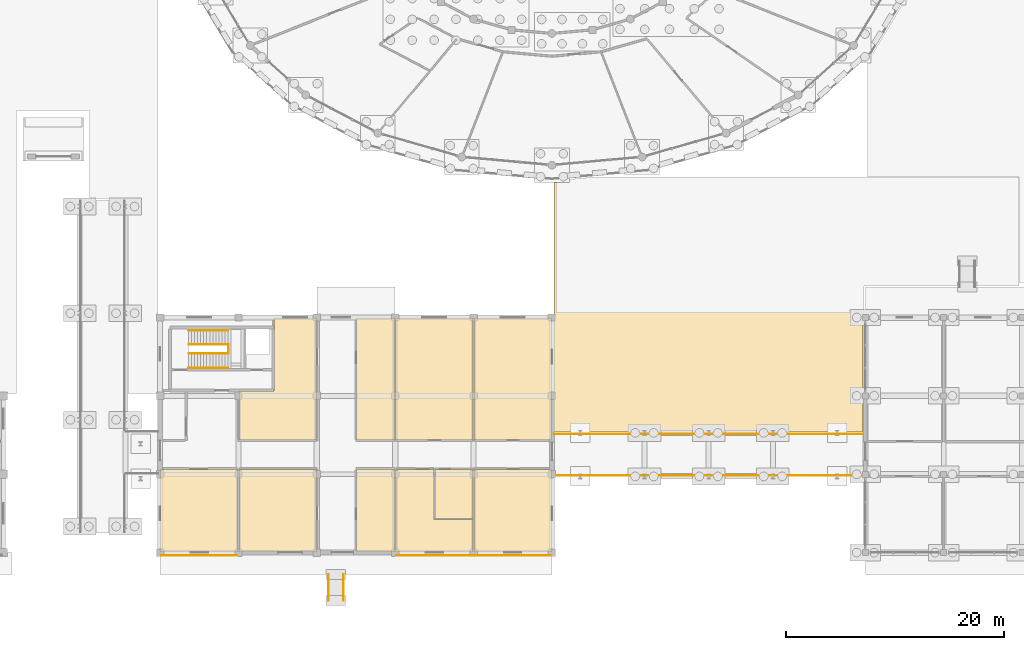
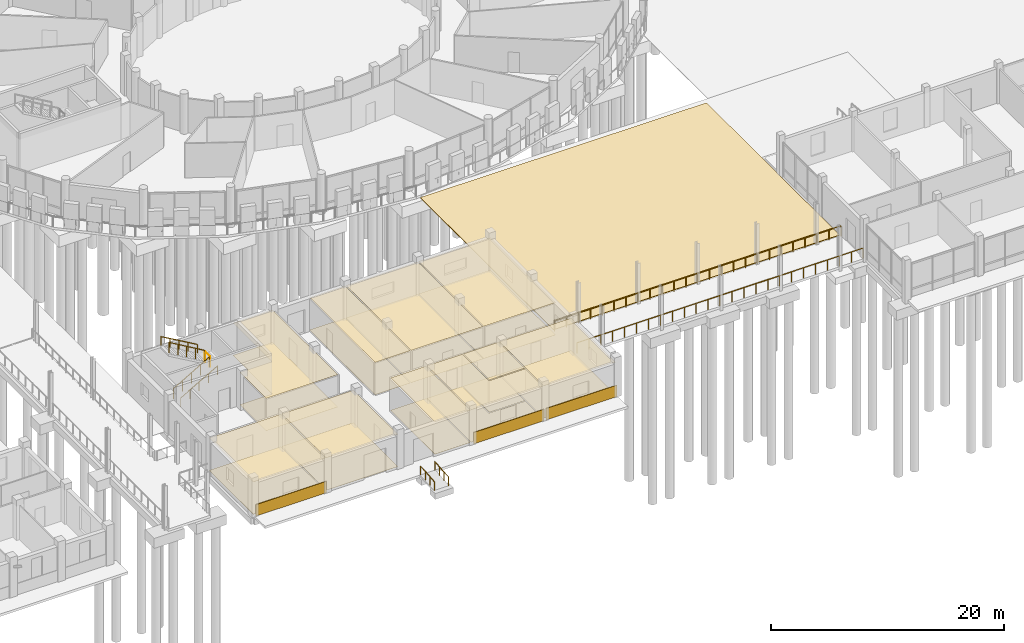
# One storey, part 90 of 98: 24 coverings, 9 railings.
"""IFC4 building model written with IfcOpenShell, lengths in metres."""

from ifc_helpers import new_model, si_unit, direction, frame, origin, origin_2d, place, context, subcontext, project, spatial, polyline, rectangle, circle, outline, extrude, material, layer, layer_set, type_object, element, save


model = new_model("IFC4")

# Units and contexts
model_context = context("Model", 3, precision=1e-05, world=origin(), true_north=direction((0.0, 1.0)))
body_context = subcontext(model_context, "Body", "Model", "MODEL_VIEW")
ifc_project = project(units=[si_unit("LENGTHUNIT", "METRE"), si_unit("AREAUNIT", "SQUARE_METRE"), si_unit("VOLUMEUNIT", "CUBIC_METRE"), si_unit("PLANEANGLEUNIT", "RADIAN"), si_unit("MASSUNIT", "GRAM", prefix="KILO")], contexts=[model_context])

# Site, building, storey
site_placement = place(None, origin())
site = spatial("IfcSite", under=ifc_project, at=site_placement, CompositionType="ELEMENT")
building_placement = place(site_placement, origin())
building = spatial("IfcBuilding", under=site, at=building_placement, Name="Zornivar Specialist Clinic", CompositionType="ELEMENT")
storey_placement = place(building_placement, origin())
storey = spatial("IfcBuildingStorey", under=building, at=storey_placement, Name="L00", CompositionType="ELEMENT", Elevation=0.0)

# Coverings
ifc_material_1 = material(Name="Washable Acoustic Mineral Clinical Ceiling")
ifc_layer_1 = layer(ifc_material_1, 0.01806640625)
ifc_layer_set_1 = layer_set([ifc_layer_1], Name="Washable Acoustic Mineral Clinical Ceiling")
covering_type_1 = type_object("IfcCoveringType", Name="COV-CEIL-CLIN-18", PredefinedType="CEILING", material=ifc_layer_set_1)
covering_1_placement = place(storey_placement, frame((0.0, 0.0, 3.39208984375)))
element("IfcCovering", 1, at=covering_1_placement, inside=storey, type_object=covering_type_1, Name="ceil:space:V3:L00:rm:00", PredefinedType="CEILING", context=body_context, shape_type="SweptSolid", body=[
    extrude(outline(polyline([(64.760009765625, 7.659912109375), (64.760009765625, 0.0400390625), (57.639892578125, 0.0400390625), (57.639892578125, 7.659912109375), (64.760009765625, 7.659912109375)])), origin(), (0.0, 0.0, 1.0), 0.017822265625),
])
covering_2_placement = place(storey_placement, frame((0.0, 0.0, 3.39208984375)))
element("IfcCovering", 2, at=covering_2_placement, inside=storey, type_object=covering_type_1, Name="ceil:space:V3:L00:rm:02", PredefinedType="CEILING", context=body_context, shape_type="SweptSolid", body=[
    extrude(outline(polyline([(71.9599609375, 0.0400390625), (64.840087890625, 0.0400390625), (64.840087890625, 7.659912109375), (71.9599609375, 7.659912109375), (71.9599609375, 0.0400390625)])), origin(), (0.0, 0.0, 1.0), 0.017822265625),
])
covering_3_placement = place(storey_placement, frame((0.0, 0.0, 3.39208984375)))
element("IfcCovering", 3, at=covering_3_placement, inside=storey, type_object=covering_type_1, Name="ceil:space:V3:L00:rm:03", PredefinedType="CEILING", context=body_context, shape_type="SweptSolid", body=[
    extrude(outline(polyline([(71.9599609375, 21.56005859375), (71.9599609375, 10.340087890625), (64.840087890625, 10.340087890625), (64.840087890625, 14.860107421875), (68.0400390625, 14.860107421875), (68.0400390625, 21.56005859375), (71.9599609375, 21.56005859375)])), origin(), (0.0, 0.0, 1.0), 0.017822265625),
])
covering_4_placement = place(storey_placement, frame((0.0, 0.0, 3.39208984375)))
element("IfcCovering", 4, at=covering_4_placement, inside=storey, type_object=covering_type_1, Name="ceil:space:V3:L00:rm:04", PredefinedType="CEILING", context=body_context, shape_type="SweptSolid", body=[
    extrude(outline(polyline([(75.639892578125, 7.659912109375), (79.159912109375, 7.659912109375), (79.159912109375, 0.0400390625), (75.639892578125, 0.0400390625), (75.639892578125, 7.659912109375)])), origin(), (0.0, 0.0, 1.0), 0.017822265625),
])
covering_5_placement = place(storey_placement, frame((0.0, 0.0, 3.39208984375)))
element("IfcCovering", 5, at=covering_5_placement, inside=storey, type_object=covering_type_1, Name="ceil:space:V3:L00:rm:05", PredefinedType="CEILING", context=body_context, shape_type="SweptSolid", body=[
    extrude(outline(polyline([(75.639892578125, 21.56005859375), (79.159912109375, 21.56005859375), (79.159912109375, 10.340087890625), (75.639892578125, 10.340087890625), (75.639892578125, 21.56005859375)])), origin(), (0.0, 0.0, 1.0), 0.017822265625),
])
covering_6_placement = place(storey_placement, frame((0.0, 0.0, 3.39208984375)))
element("IfcCovering", 6, at=covering_6_placement, inside=storey, type_object=covering_type_1, Name="ceil:space:V3:L00:rm:06", PredefinedType="CEILING", context=body_context, shape_type="SweptSolid", body=[
    extrude(outline(polyline([(86.360107421875, 3.139892578125), (82.840087890625, 3.139892578125), (82.840087890625, 7.659912109375), (86.360107421875, 7.659912109375), (86.360107421875, 3.139892578125)])), origin(), (0.0, 0.0, 1.0), 0.017822265625),
])
covering_7_placement = place(storey_placement, frame((0.0, 0.0, 3.39208984375)))
element("IfcCovering", 7, at=covering_7_placement, inside=storey, type_object=covering_type_1, Name="ceil:space:V3:L00:rm:06b", PredefinedType="CEILING", context=body_context, shape_type="SweptSolid", body=[
    extrude(outline(polyline([(82.760009765625, 7.659912109375), (82.760009765625, 3.06005859375), (86.360107421875, 3.06005859375), (86.360107421875, 0.0400390625), (79.239990234375, 0.0400390625), (79.239990234375, 7.659912109375), (82.760009765625, 7.659912109375)])), origin(), (0.0, 0.0, 1.0), 0.017822265625),
])
covering_8_placement = place(storey_placement, frame((0.0, 0.0, 3.39208984375)))
element("IfcCovering", 8, at=covering_8_placement, inside=storey, type_object=covering_type_1, Name="ceil:space:V3:L00:rm:08", PredefinedType="CEILING", context=body_context, shape_type="SweptSolid", body=[
    extrude(outline(polyline([(79.239990234375, 21.56005859375), (86.360107421875, 21.56005859375), (86.360107421875, 10.340087890625), (79.239990234375, 10.340087890625), (79.239990234375, 21.56005859375)])), origin(), (0.0, 0.0, 1.0), 0.017822265625),
])
covering_9_placement = place(storey_placement, frame((0.0, 0.0, 3.39208984375)))
element("IfcCovering", 9, at=covering_9_placement, inside=storey, type_object=covering_type_1, Name="ceil:space:V3:L00:rm:09", PredefinedType="CEILING", context=body_context, shape_type="SweptSolid", body=[
    extrude(outline(polyline([(86.43994140625, 7.659912109375), (93.56005859375, 7.659912109375), (93.56005859375, 0.0400390625), (86.43994140625, 0.0400390625), (86.43994140625, 7.659912109375)])), origin(), (0.0, 0.0, 1.0), 0.017822265625),
])
covering_10_placement = place(storey_placement, frame((0.0, 0.0, 3.39208984375)))
element("IfcCovering", 10, at=covering_10_placement, inside=storey, type_object=covering_type_1, Name="ceil:space:V3:L00:rm:10", PredefinedType="CEILING", context=body_context, shape_type="SweptSolid", body=[
    extrude(outline(polyline([(86.43994140625, 10.340087890625), (86.43994140625, 21.56005859375), (93.56005859375, 21.56005859375), (93.56005859375, 10.340087890625), (86.43994140625, 10.340087890625)])), origin(), (0.0, 0.0, 1.0), 0.017822265625),
])
ifc_material_2 = material(Name="Coursed Vratsa Limestone Plinth Cladding", Category="masonry")
ifc_layer_2 = layer(ifc_material_2, 0.050048828125)
ifc_layer_set_2 = layer_set([ifc_layer_2], Name="Coursed Vratsa Limestone Plinth Cladding")
covering_type_2 = type_object("IfcCoveringType", Name="COV-CLAD-VRATSA-50", PredefinedType="CLADDING", material=ifc_layer_set_2)
for number, where, z_axis, x_axis, name in (
    (11, (61.199951171875, -0.2548828125, 0.0), (0.0, 0.0, 1.0), (1.0, 0.0, 0.0), "clad:V3:L00:00"),
    (12, (82.800048828125, -0.2548828125, 0.0), (0.0, 0.0, 1.0), (1.0, 0.0, 0.0), "clad:V3:L00:03"),
    (13, (90.0, -0.2548828125, 0.0), (0.0, 0.0, 1.0), (1.0, 0.0, 0.0), "clad:V3:L00:04"),
):
    element("IfcCovering", number, at=place(storey_placement, frame(where, z_axis=z_axis, x_axis=x_axis)), inside=storey, type_object=covering_type_2, Name=name, PredefinedType="CLADDING", context=body_context, shape_type="SweptSolid", body=[
        extrude(rectangle(XDim=7.0, YDim=0.050048828125, at=origin_2d()), origin(), (0.0, 0.0, 1.0), 1.199951171875),
    ])
ifc_material_3 = material(Name="Homogeneous Anti-Static Clinical Vinyl Flooring")
ifc_layer_3 = layer(ifc_material_3, 0.011962890625)
ifc_layer_set_3 = layer_set([ifc_layer_3], Name="Homogeneous Anti-Static Clinical Vinyl Flooring")
covering_type_3 = type_object("IfcCoveringType", Name="COV-FLR-VINYL-12", PredefinedType="FLOORING", material=ifc_layer_set_3)
covering_11_placement = place(storey_placement, origin())
element("IfcCovering", 14, at=covering_11_placement, inside=storey, type_object=covering_type_3, Name="flr:space:V3:L00:rm:00", PredefinedType="FLOORING", context=body_context, shape_type="SweptSolid", body=[
    extrude(outline(polyline([(64.760009765625, 7.659912109375), (64.760009765625, 0.0400390625), (57.639892578125, 0.0400390625), (57.639892578125, 7.659912109375), (64.760009765625, 7.659912109375)])), origin(), (0.0, 0.0, 1.0), 0.011962890625),
])
covering_12_placement = place(storey_placement, origin())
element("IfcCovering", 15, at=covering_12_placement, inside=storey, type_object=covering_type_3, Name="flr:space:V3:L00:rm:02", PredefinedType="FLOORING", context=body_context, shape_type="SweptSolid", body=[
    extrude(outline(polyline([(71.9599609375, 0.0400390625), (64.840087890625, 0.0400390625), (64.840087890625, 7.659912109375), (71.9599609375, 7.659912109375), (71.9599609375, 0.0400390625)])), origin(), (0.0, 0.0, 1.0), 0.011962890625),
])
covering_13_placement = place(storey_placement, origin())
element("IfcCovering", 16, at=covering_13_placement, inside=storey, type_object=covering_type_3, Name="flr:space:V3:L00:rm:03", PredefinedType="FLOORING", context=body_context, shape_type="SweptSolid", body=[
    extrude(outline(polyline([(71.9599609375, 21.56005859375), (71.9599609375, 10.340087890625), (64.840087890625, 10.340087890625), (64.840087890625, 14.860107421875), (68.0400390625, 14.860107421875), (68.0400390625, 21.56005859375), (71.9599609375, 21.56005859375)])), origin(), (0.0, 0.0, 1.0), 0.011962890625),
])
covering_14_placement = place(storey_placement, origin())
element("IfcCovering", 17, at=covering_14_placement, inside=storey, type_object=covering_type_3, Name="flr:space:V3:L00:rm:04", PredefinedType="FLOORING", context=body_context, shape_type="SweptSolid", body=[
    extrude(outline(polyline([(75.639892578125, 7.659912109375), (79.159912109375, 7.659912109375), (79.159912109375, 0.0400390625), (75.639892578125, 0.0400390625), (75.639892578125, 7.659912109375)])), origin(), (0.0, 0.0, 1.0), 0.011962890625),
])
covering_15_placement = place(storey_placement, origin())
element("IfcCovering", 18, at=covering_15_placement, inside=storey, type_object=covering_type_3, Name="flr:space:V3:L00:rm:05", PredefinedType="FLOORING", context=body_context, shape_type="SweptSolid", body=[
    extrude(outline(polyline([(75.639892578125, 21.56005859375), (79.159912109375, 21.56005859375), (79.159912109375, 10.340087890625), (75.639892578125, 10.340087890625), (75.639892578125, 21.56005859375)])), origin(), (0.0, 0.0, 1.0), 0.011962890625),
])
covering_16_placement = place(storey_placement, origin())
element("IfcCovering", 19, at=covering_16_placement, inside=storey, type_object=covering_type_3, Name="flr:space:V3:L00:rm:06", PredefinedType="FLOORING", context=body_context, shape_type="SweptSolid", body=[
    extrude(outline(polyline([(86.360107421875, 3.139892578125), (82.840087890625, 3.139892578125), (82.840087890625, 7.659912109375), (86.360107421875, 7.659912109375), (86.360107421875, 3.139892578125)])), origin(), (0.0, 0.0, 1.0), 0.011962890625),
])
covering_17_placement = place(storey_placement, origin())
element("IfcCovering", 20, at=covering_17_placement, inside=storey, type_object=covering_type_3, Name="flr:space:V3:L00:rm:06b", PredefinedType="FLOORING", context=body_context, shape_type="SweptSolid", body=[
    extrude(outline(polyline([(82.760009765625, 7.659912109375), (82.760009765625, 3.06005859375), (86.360107421875, 3.06005859375), (86.360107421875, 0.0400390625), (79.239990234375, 0.0400390625), (79.239990234375, 7.659912109375), (82.760009765625, 7.659912109375)])), origin(), (0.0, 0.0, 1.0), 0.011962890625),
])
covering_18_placement = place(storey_placement, origin())
element("IfcCovering", 21, at=covering_18_placement, inside=storey, type_object=covering_type_3, Name="flr:space:V3:L00:rm:08", PredefinedType="FLOORING", context=body_context, shape_type="SweptSolid", body=[
    extrude(outline(polyline([(79.239990234375, 21.56005859375), (86.360107421875, 21.56005859375), (86.360107421875, 10.340087890625), (79.239990234375, 10.340087890625), (79.239990234375, 21.56005859375)])), origin(), (0.0, 0.0, 1.0), 0.011962890625),
])
covering_19_placement = place(storey_placement, origin())
element("IfcCovering", 22, at=covering_19_placement, inside=storey, type_object=covering_type_3, Name="flr:space:V3:L00:rm:09", PredefinedType="FLOORING", context=body_context, shape_type="SweptSolid", body=[
    extrude(outline(polyline([(86.43994140625, 7.659912109375), (93.56005859375, 7.659912109375), (93.56005859375, 0.0400390625), (86.43994140625, 0.0400390625), (86.43994140625, 7.659912109375)])), origin(), (0.0, 0.0, 1.0), 0.011962890625),
])
covering_20_placement = place(storey_placement, origin())
element("IfcCovering", 23, at=covering_20_placement, inside=storey, type_object=covering_type_3, Name="flr:space:V3:L00:rm:10", PredefinedType="FLOORING", context=body_context, shape_type="SweptSolid", body=[
    extrude(outline(polyline([(86.43994140625, 10.340087890625), (86.43994140625, 21.56005859375), (93.56005859375, 21.56005859375), (93.56005859375, 10.340087890625), (86.43994140625, 10.340087890625)])), origin(), (0.0, 0.0, 1.0), 0.011962890625),
])
ifc_material_4 = material(Name="Bush-Hammered Vratsa Limestone Courtyard Paving", Category="masonry")
ifc_layer_4 = layer(ifc_material_4, 0.06005859375)
ifc_layer_set_4 = layer_set([ifc_layer_4], Name="Bush-Hammered Vratsa Limestone Courtyard Paving")
covering_type_4 = type_object("IfcCoveringType", Name="COV-PAVING-STONE-60", PredefinedType="USERDEFINED", material=ifc_layer_set_4)
covering_21_placement = place(storey_placement, frame((0.0, 0.0, -0.06005859375)))
element("IfcCovering", 24, at=covering_21_placement, inside=storey, type_object=covering_type_4, Name="cov:paving:L00:3:south_healing_court", ObjectType="PAVING", PredefinedType="USERDEFINED", context=body_context, shape_type="SweptSolid", body=[
    extrude(outline(polyline([(122.199951171875, 34.0), (122.199951171875, 11.1201171875), (93.800048828125, 11.1201171875), (93.800048828125, 34.0), (122.199951171875, 34.0)])), origin(), (0.0, 0.0, 1.0), 0.06005859375),
])

# Railings
ifc_material_5 = material(Name="Painted Steel and Oiled Timber Balustrade", Category="steel")
railing_type_1 = type_object("IfcRailingType", Name="GRD-EXT-BALUST-1100", PredefinedType="BALUSTRADE", material=ifc_material_5)
railing_1_placement = place(storey_placement, frame((93.800048828125, 7.080078125, 0.0)))
element("IfcRailing", 25, at=railing_1_placement, inside=storey, type_object=railing_type_1, Name="rail:BR4:L00:S", PredefinedType="BALUSTRADE", context=body_context, shape_type="SweptSolid", body=[
    extrude(circle(Radius=0.02392578125, at=origin_2d()), frame((0.0, 0.0, 1.076171875), z_axis=(1.0, 0.0, 0.0), x_axis=(0.0, 1.0, 0.0)), (0.0, 0.0, 1.0), 28.39990234375),
    extrude(circle(Radius=0.02099609375, at=origin_2d()), origin(), (0.0, 0.0, 1.0), 1.052001953125),
    extrude(circle(Radius=0.02099609375, at=origin_2d()), frame((1.183349609375, 0.0, 0.0)), (0.0, 0.0, 1.0), 1.052001953125),
    extrude(circle(Radius=0.02099609375, at=origin_2d()), frame((2.36669921875, 0.0, 0.0)), (0.0, 0.0, 1.0), 1.052001953125),
    extrude(circle(Radius=0.02099609375, at=origin_2d()), frame((3.550048828125, 0.0, 0.0)), (0.0, 0.0, 1.0), 1.052001953125),
    extrude(circle(Radius=0.02099609375, at=origin_2d()), frame((4.7333984375, 0.0, 0.0)), (0.0, 0.0, 1.0), 1.052001953125),
    extrude(circle(Radius=0.02099609375, at=origin_2d()), frame((5.916748046875, 0.0, 0.0)), (0.0, 0.0, 1.0), 1.052001953125),
    extrude(circle(Radius=0.02099609375, at=origin_2d()), frame((7.10009765625, 0.0, 0.0)), (0.0, 0.0, 1.0), 1.052001953125),
    extrude(circle(Radius=0.02099609375, at=origin_2d()), frame((8.283203125, 0.0, 0.0)), (0.0, 0.0, 1.0), 1.052001953125),
    extrude(circle(Radius=0.02099609375, at=origin_2d()), frame((9.466552734375, 0.0, 0.0)), (0.0, 0.0, 1.0), 1.052001953125),
    extrude(circle(Radius=0.02099609375, at=origin_2d()), frame((10.64990234375, 0.0, 0.0)), (0.0, 0.0, 1.0), 1.052001953125),
    extrude(circle(Radius=0.02099609375, at=origin_2d()), frame((11.833251953125, 0.0, 0.0)), (0.0, 0.0, 1.0), 1.052001953125),
    extrude(circle(Radius=0.02099609375, at=origin_2d()), frame((13.0166015625, 0.0, 0.0)), (0.0, 0.0, 1.0), 1.052001953125),
    extrude(circle(Radius=0.02099609375, at=origin_2d()), frame((14.199951171875, 0.0, 0.0)), (0.0, 0.0, 1.0), 1.052001953125),
    extrude(circle(Radius=0.02099609375, at=origin_2d()), frame((15.38330078125, 0.0, 0.0)), (0.0, 0.0, 1.0), 1.052001953125),
    extrude(circle(Radius=0.02099609375, at=origin_2d()), frame((16.566650390625, 0.0, 0.0)), (0.0, 0.0, 1.0), 1.052001953125),
    extrude(circle(Radius=0.02099609375, at=origin_2d()), frame((17.75, 0.0, 0.0)), (0.0, 0.0, 1.0), 1.052001953125),
    extrude(circle(Radius=0.02099609375, at=origin_2d()), frame((18.933349609375, 0.0, 0.0)), (0.0, 0.0, 1.0), 1.052001953125),
    extrude(circle(Radius=0.02099609375, at=origin_2d()), frame((20.11669921875, 0.0, 0.0)), (0.0, 0.0, 1.0), 1.052001953125),
    extrude(circle(Radius=0.02099609375, at=origin_2d()), frame((21.2998046875, 0.0, 0.0)), (0.0, 0.0, 1.0), 1.052001953125),
    extrude(circle(Radius=0.02099609375, at=origin_2d()), frame((22.483154296875, 0.0, 0.0)), (0.0, 0.0, 1.0), 1.052001953125),
    extrude(circle(Radius=0.02099609375, at=origin_2d()), frame((23.66650390625, 0.0, 0.0)), (0.0, 0.0, 1.0), 1.052001953125),
    extrude(circle(Radius=0.02099609375, at=origin_2d()), frame((24.849853515625, 0.0, 0.0)), (0.0, 0.0, 1.0), 1.052001953125),
    extrude(circle(Radius=0.02099609375, at=origin_2d()), frame((26.033203125, 0.0, 0.0)), (0.0, 0.0, 1.0), 1.052001953125),
    extrude(circle(Radius=0.02099609375, at=origin_2d()), frame((27.216552734375, 0.0, 0.0)), (0.0, 0.0, 1.0), 1.052001953125),
    extrude(circle(Radius=0.02099609375, at=origin_2d()), frame((28.39990234375, 0.0, 0.0)), (0.0, 0.0, 1.0), 1.052001953125),
])
railing_2_placement = place(storey_placement, frame((93.800048828125, 10.919921875, 0.0)))
element("IfcRailing", 26, at=railing_2_placement, inside=storey, type_object=railing_type_1, Name="rail:BR4:L00:N", PredefinedType="BALUSTRADE", context=body_context, shape_type="SweptSolid", body=[
    extrude(circle(Radius=0.02392578125, at=origin_2d()), frame((0.0, 0.0, 1.076171875), z_axis=(1.0, 0.0, 0.0), x_axis=(0.0, 1.0, 0.0)), (0.0, 0.0, 1.0), 28.39990234375),
    extrude(circle(Radius=0.02099609375, at=origin_2d()), origin(), (0.0, 0.0, 1.0), 1.052001953125),
    extrude(circle(Radius=0.02099609375, at=origin_2d()), frame((1.183349609375, 0.0, 0.0)), (0.0, 0.0, 1.0), 1.052001953125),
    extrude(circle(Radius=0.02099609375, at=origin_2d()), frame((2.36669921875, 0.0, 0.0)), (0.0, 0.0, 1.0), 1.052001953125),
    extrude(circle(Radius=0.02099609375, at=origin_2d()), frame((3.550048828125, 0.0, 0.0)), (0.0, 0.0, 1.0), 1.052001953125),
    extrude(circle(Radius=0.02099609375, at=origin_2d()), frame((4.7333984375, 0.0, 0.0)), (0.0, 0.0, 1.0), 1.052001953125),
    extrude(circle(Radius=0.02099609375, at=origin_2d()), frame((5.916748046875, 0.0, 0.0)), (0.0, 0.0, 1.0), 1.052001953125),
    extrude(circle(Radius=0.02099609375, at=origin_2d()), frame((7.10009765625, 0.0, 0.0)), (0.0, 0.0, 1.0), 1.052001953125),
    extrude(circle(Radius=0.02099609375, at=origin_2d()), frame((8.283203125, 0.0, 0.0)), (0.0, 0.0, 1.0), 1.052001953125),
    extrude(circle(Radius=0.02099609375, at=origin_2d()), frame((9.466552734375, 0.0, 0.0)), (0.0, 0.0, 1.0), 1.052001953125),
    extrude(circle(Radius=0.02099609375, at=origin_2d()), frame((10.64990234375, 0.0, 0.0)), (0.0, 0.0, 1.0), 1.052001953125),
    extrude(circle(Radius=0.02099609375, at=origin_2d()), frame((11.833251953125, 0.0, 0.0)), (0.0, 0.0, 1.0), 1.052001953125),
    extrude(circle(Radius=0.02099609375, at=origin_2d()), frame((13.0166015625, 0.0, 0.0)), (0.0, 0.0, 1.0), 1.052001953125),
    extrude(circle(Radius=0.02099609375, at=origin_2d()), frame((14.199951171875, 0.0, 0.0)), (0.0, 0.0, 1.0), 1.052001953125),
    extrude(circle(Radius=0.02099609375, at=origin_2d()), frame((15.38330078125, 0.0, 0.0)), (0.0, 0.0, 1.0), 1.052001953125),
    extrude(circle(Radius=0.02099609375, at=origin_2d()), frame((16.566650390625, 0.0, 0.0)), (0.0, 0.0, 1.0), 1.052001953125),
    extrude(circle(Radius=0.02099609375, at=origin_2d()), frame((17.75, 0.0, 0.0)), (0.0, 0.0, 1.0), 1.052001953125),
    extrude(circle(Radius=0.02099609375, at=origin_2d()), frame((18.933349609375, 0.0, 0.0)), (0.0, 0.0, 1.0), 1.052001953125),
    extrude(circle(Radius=0.02099609375, at=origin_2d()), frame((20.11669921875, 0.0, 0.0)), (0.0, 0.0, 1.0), 1.052001953125),
    extrude(circle(Radius=0.02099609375, at=origin_2d()), frame((21.2998046875, 0.0, 0.0)), (0.0, 0.0, 1.0), 1.052001953125),
    extrude(circle(Radius=0.02099609375, at=origin_2d()), frame((22.483154296875, 0.0, 0.0)), (0.0, 0.0, 1.0), 1.052001953125),
    extrude(circle(Radius=0.02099609375, at=origin_2d()), frame((23.66650390625, 0.0, 0.0)), (0.0, 0.0, 1.0), 1.052001953125),
    extrude(circle(Radius=0.02099609375, at=origin_2d()), frame((24.849853515625, 0.0, 0.0)), (0.0, 0.0, 1.0), 1.052001953125),
    extrude(circle(Radius=0.02099609375, at=origin_2d()), frame((26.033203125, 0.0, 0.0)), (0.0, 0.0, 1.0), 1.052001953125),
    extrude(circle(Radius=0.02099609375, at=origin_2d()), frame((27.216552734375, 0.0, 0.0)), (0.0, 0.0, 1.0), 1.052001953125),
    extrude(circle(Radius=0.02099609375, at=origin_2d()), frame((28.39990234375, 0.0, 0.0)), (0.0, 0.0, 1.0), 1.052001953125),
])
ifc_material_6 = material(Name="Brushed Stainless Steel Stair Guardrail", Category="steel")
railing_type_2 = type_object("IfcRailingType", Name="GRD-INT-STAIR-1100", PredefinedType="GUARDRAIL", material=ifc_material_6)
railing_3_placement = place(storey_placement, frame((60.239990234375, 18.280029296875, 0.160888671875)))
element("IfcRailing", 27, at=railing_3_placement, inside=storey, type_object=railing_type_2, Name="stair:C5:L00:grd1", PredefinedType="GUARDRAIL", context=body_context, shape_type="SweptSolid", body=[
    extrude(circle(Radius=0.02392578125, at=origin_2d()), frame((0.0, 0.0, 1.076171875), z_axis=(0.862467420366, 0.0, 0.50611258511), x_axis=(0.0, 1.0, 0.0)), (0.0, 0.0, 1.0), 4.127685546875),
    extrude(circle(Radius=0.02099609375, at=origin_2d()), origin(), (0.0, 0.0, 1.0), 1.052001953125),
    extrude(circle(Radius=0.02099609375, at=origin_2d()), frame((0.89013671875, 0.0, 0.522216796875)), (0.0, 0.0, 1.0), 1.052001953125),
    extrude(circle(Radius=0.02099609375, at=origin_2d()), frame((1.780029296875, 0.0, 1.04443359375)), (0.0, 0.0, 1.0), 1.052001953125),
    extrude(circle(Radius=0.02099609375, at=origin_2d()), frame((2.669921875, 0.0, 1.56689453125)), (0.0, 0.0, 1.0), 1.052001953125),
    extrude(circle(Radius=0.02099609375, at=origin_2d()), frame((3.56005859375, 0.0, 2.089111328125)), (0.0, 0.0, 1.0), 1.052001953125),
])
railing_4_placement = place(storey_placement, frame((63.800048828125, 19.1201171875, 2.410888671875)))
element("IfcRailing", 28, at=railing_4_placement, inside=storey, type_object=railing_type_2, Name="stair:C5:L00:grd2", PredefinedType="GUARDRAIL", context=body_context, shape_type="SweptSolid", body=[
    extrude(circle(Radius=0.02392578125, at=origin_2d()), frame((0.0, 0.0, 1.076171875), z_axis=(-0.861217264902, 0.0, 0.50823697488), x_axis=(0.0, -1.0, 0.0)), (0.0, 0.0, 1.0), 4.110595703125),
    extrude(circle(Radius=0.02099609375, at=origin_2d()), origin(), (0.0, 0.0, 1.0), 1.052001953125),
    extrude(circle(Radius=0.02099609375, at=origin_2d()), frame((-0.885009765625, 0.0, 0.522216796875)), (0.0, 0.0, 1.0), 1.052001953125),
    extrude(circle(Radius=0.02099609375, at=origin_2d()), frame((-1.77001953125, 0.0, 1.04443359375)), (0.0, 0.0, 1.0), 1.052001953125),
    extrude(circle(Radius=0.02099609375, at=origin_2d()), frame((-2.655029296875, 0.0, 1.56689453125)), (0.0, 0.0, 1.0), 1.052001953125),
    extrude(circle(Radius=0.02099609375, at=origin_2d()), frame((-3.5400390625, 0.0, 2.089111328125)), (0.0, 0.0, 1.0), 1.052001953125),
])
railing_5_placement = place(storey_placement, frame((63.8701171875, 18.280029296875, 2.25)))
element("IfcRailing", 29, at=railing_5_placement, inside=storey, type_object=railing_type_2, Name="stair:C5:L00:grdl", PredefinedType="GUARDRAIL", context=body_context, shape_type="SweptSolid", body=[
    extrude(circle(Radius=0.02392578125, at=origin_2d()), frame((0.0, 0.0, 1.076171875), z_axis=(0.0, 1.0, 0.0), x_axis=(-1.0, 0.0, 0.0)), (0.0, 0.0, 1.0), 0.840087890625),
    extrude(circle(Radius=0.02099609375, at=origin_2d()), origin(), (0.0, 0.0, 1.0), 1.052001953125),
    extrude(circle(Radius=0.02099609375, at=origin_2d()), frame((0.0, 0.840087890625, 0.0)), (0.0, 0.0, 1.0), 1.052001953125),
])
ifc_material_7 = material(Name="Brushed Stainless Steel Continuous Handrail", Category="steel")
railing_type_3 = type_object("IfcRailingType", Name="HRL-STAIR-0920", PredefinedType="HANDRAIL", material=ifc_material_7)
railing_6_placement = place(storey_placement, frame((60.199951171875, 16.969970703125, 0.160888671875)))
element("IfcRailing", 30, at=railing_6_placement, inside=storey, type_object=railing_type_3, Name="stair:C5:L00:hr1", PredefinedType="HANDRAIL", context=body_context, shape_type="SweptSolid", body=[
    extrude(circle(Radius=0.02392578125, at=origin_2d()), frame((0.0, 0.0, 0.89599609375), z_axis=(0.867314486057, 0.0, 0.497760567216), x_axis=(0.0, 1.0, 0.0)), (0.0, 0.0, 1.0), 4.197021484375),
    extrude(circle(Radius=0.02099609375, at=origin_2d()), origin(), (0.0, 0.0, 1.0), 0.871826171875),
    extrude(circle(Radius=0.02099609375, at=origin_2d()), frame((0.91015625, 0.0, 0.522216796875)), (0.0, 0.0, 1.0), 0.871826171875),
    extrude(circle(Radius=0.02099609375, at=origin_2d()), frame((1.820068359375, 0.0, 1.04443359375)), (0.0, 0.0, 1.0), 0.871826171875),
    extrude(circle(Radius=0.02099609375, at=origin_2d()), frame((2.72998046875, 0.0, 1.56689453125)), (0.0, 0.0, 1.0), 0.871826171875),
    extrude(circle(Radius=0.02099609375, at=origin_2d()), frame((3.64013671875, 0.0, 2.089111328125)), (0.0, 0.0, 1.0), 0.871826171875),
])
railing_7_placement = place(storey_placement, frame((63.840087890625, 20.429931640625, 2.410888671875)))
element("IfcRailing", 31, at=railing_7_placement, inside=storey, type_object=railing_type_3, Name="stair:C5:L00:hr2", PredefinedType="HANDRAIL", context=body_context, shape_type="SweptSolid", body=[
    extrude(circle(Radius=0.02392578125, at=origin_2d()), frame((0.0, 0.0, 0.89599609375), z_axis=(-0.866125288215, 0.0, 0.49982695517), x_axis=(0.0, -1.0, 0.0)), (0.0, 0.0, 1.0), 4.1796875),
    extrude(circle(Radius=0.02099609375, at=origin_2d()), origin(), (0.0, 0.0, 1.0), 0.871826171875),
    extrude(circle(Radius=0.02099609375, at=origin_2d()), frame((-0.905029296875, 0.0, 0.522216796875)), (0.0, 0.0, 1.0), 0.871826171875),
    extrude(circle(Radius=0.02099609375, at=origin_2d()), frame((-1.81005859375, 0.0, 1.04443359375)), (0.0, 0.0, 1.0), 0.871826171875),
    extrude(circle(Radius=0.02099609375, at=origin_2d()), frame((-2.715087890625, 0.0, 1.56689453125)), (0.0, 0.0, 1.0), 0.871826171875),
    extrude(circle(Radius=0.02099609375, at=origin_2d()), frame((-3.6201171875, 0.0, 2.089111328125)), (0.0, 0.0, 1.0), 0.871826171875),
])
for number, where, name in (
    (32, (73.050048828125, -4.39990234375, -0.179931640625), "ramp:ped:L00:PR2:hr0"),
    (33, (74.449951171875, -4.39990234375, -0.179931640625), "ramp:ped:L00:PR2:hr1"),
):
    element("IfcRailing", number, at=place(storey_placement, frame(where)), inside=storey, type_object=railing_type_3, Name=name, PredefinedType="HANDRAIL", context=body_context, shape_type="SweptSolid", body=[
        extrude(circle(Radius=0.02392578125, at=origin_2d()), frame((0.0, 0.0, 0.89599609375), z_axis=(0.0, 0.997201201018, 0.074764728906), x_axis=(-1.0, 0.0, 0.0)), (0.0, 0.0, 1.0), 2.40673828125),
        extrude(circle(Radius=0.02099609375, at=origin_2d()), origin(), (0.0, 0.0, 1.0), 0.871826171875),
        extrude(circle(Radius=0.02099609375, at=origin_2d()), frame((0.0, 0.800048828125, 0.06005859375)), (0.0, 0.0, 1.0), 0.871826171875),
        extrude(circle(Radius=0.02099609375, at=origin_2d()), frame((0.0, 1.599853515625, 0.119873046875)), (0.0, 0.0, 1.0), 0.871826171875),
        extrude(circle(Radius=0.02099609375, at=origin_2d()), frame((0.0, 2.39990234375, 0.179931640625)), (0.0, 0.0, 1.0), 0.871826171875),
    ])

save(model, "model.ifc")
